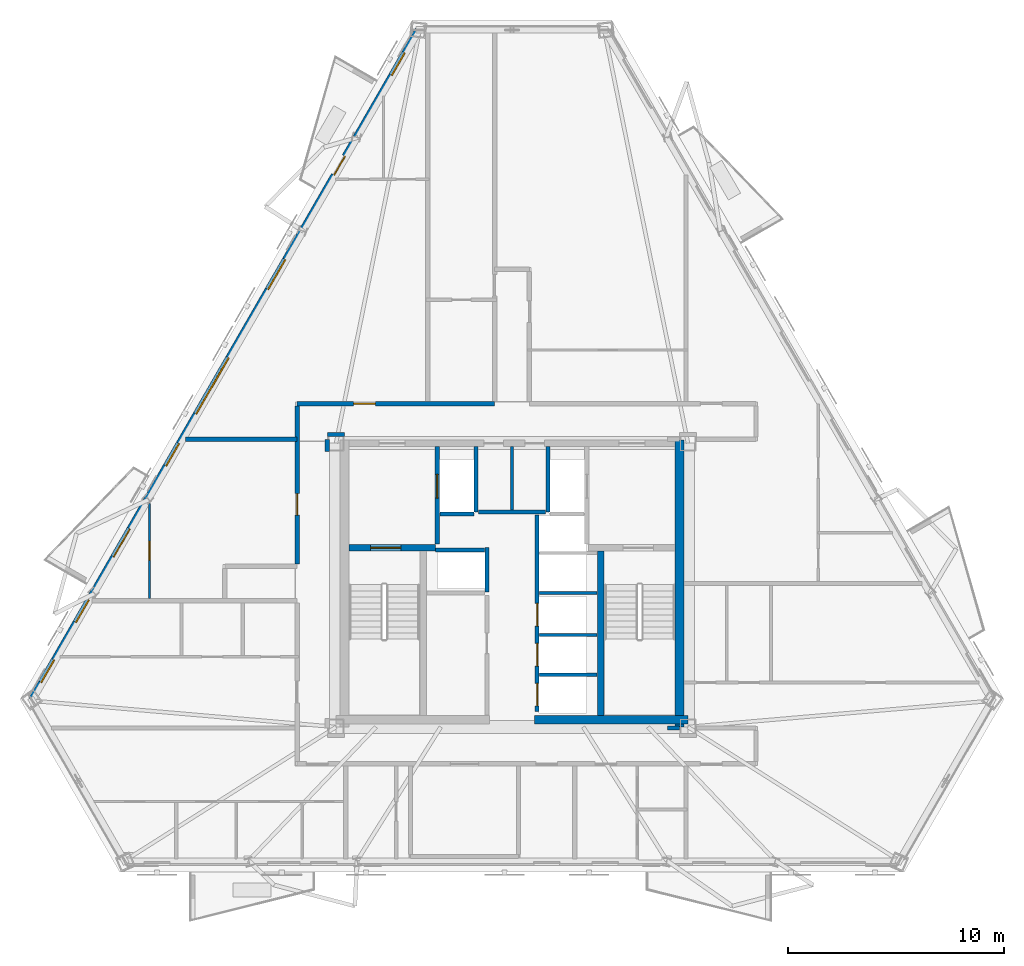
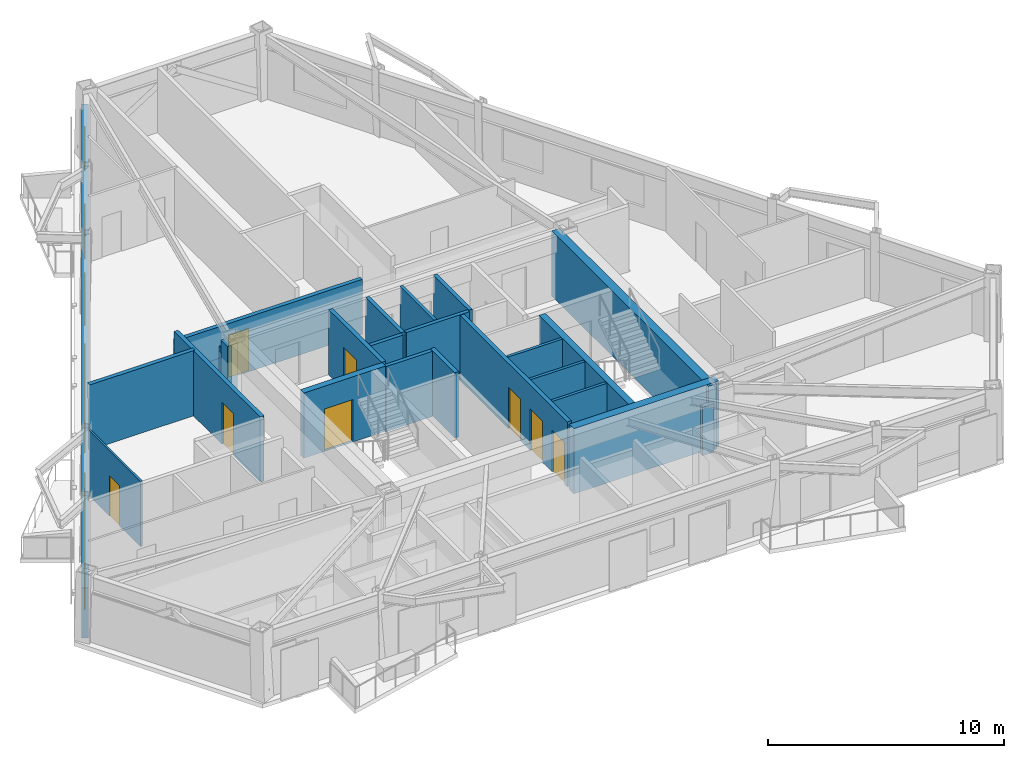
# One storey, part 4 of 9: 24 walls, 10 doors, 6 windows, 16 openings.
"""IFC4 building model written with IfcOpenShell, lengths in metres."""

from ifc_helpers import new_model, si_unit, direction, frame, frame_2d, origin, place, context, subcontext, project, spatial, rectangle, extrude, material, layer, layer_set, type_object, element, fill, save


model = new_model("IFC4")

# Units and contexts
model_context = context("Model", 3, precision=1e-05, world=origin(), true_north=direction((0.0, 1.0)))
body_context = subcontext(model_context, "Body", "Model", "MODEL_VIEW")
ifc_project = project(units=[si_unit("LENGTHUNIT", "METRE"), si_unit("AREAUNIT", "SQUARE_METRE"), si_unit("VOLUMEUNIT", "CUBIC_METRE"), si_unit("PLANEANGLEUNIT", "RADIAN"), si_unit("MASSUNIT", "GRAM", prefix="KILO")], contexts=[model_context])

# Site, building, storey
site_placement = place(None, origin())
site = spatial("IfcSite", under=ifc_project, at=site_placement, CompositionType="ELEMENT")
building_placement = place(site_placement, origin())
building = spatial("IfcBuilding", under=site, at=building_placement, Name="Oramaril Tower", CompositionType="ELEMENT")
storey_placement = place(building_placement, frame((0.0, 0.0, 167.39990234375)))
storey = spatial("IfcBuildingStorey", under=building, at=storey_placement, Name="L44", CompositionType="ELEMENT", Elevation=167.39990234375)

# Wall, openings, doors, windows
ifc_material_1 = material(Name="Warm Cream Limestone", Category="masonry")
ifc_layer_1 = layer(ifc_material_1, 0.2900390625)
ifc_layer_set_1 = layer_set([ifc_layer_1], Name="WT-EXT29")
wall_type_1 = type_object("IfcWallType", Name="WT-EXT29", PredefinedType="SOLIDWALL", material=ifc_layer_set_1)
wall_1_placement = place(storey_placement, frame((33.1455078125, 43.28466796875, 0.0), z_axis=(0.0, 0.0, 1.0), x_axis=(-0.499997523705, -0.86602683347, 0.0)))
wall_1 = element("IfcWall", 1, at=wall_1_placement, inside=storey, type_object=wall_type_1, Name="L44 Tower Limestone Facade Wall 6M", PredefinedType="SOLIDWALL", context=body_context, shape_type="SweptSolid", body=[
    extrude(rectangle(XDim=35.802490234375, YDim=0.2900390625, at=frame_2d((17.9013671875, 0.0))), origin(), (0.0, 0.0, 1.0), 2.60009765625),
])
opening_1_placement = place(wall_1_placement, frame((6.759521484375, 0.0, 0.0)))
opening_1 = element("IfcOpeningElement", 2, at=opening_1_placement, cuts=wall_1, Name="Opening D-L44-BAL-NW1", PredefinedType="OPENING", context=body_context, shape_type="SweptSolid", body=[
    extrude(rectangle(XDim=1.0, YDim=2.179931640625, at=frame_2d((0.5, 1.08984375))), frame((0.0, 0.14501953125, 0.0), z_axis=(0.0, -1.0, 0.0), x_axis=(1.0, 0.0, 0.0)), (0.0, 0.0, 1.0), 0.2900390625),
])
opening_2_placement = place(wall_1_placement, frame((26.688232421875, 0.0, 0.0)))
opening_2 = element("IfcOpeningElement", 3, at=opening_2_placement, cuts=wall_1, Name="Opening D-L44-BAL-NW2", PredefinedType="OPENING", context=body_context, shape_type="SweptSolid", body=[
    extrude(rectangle(XDim=1.5, YDim=2.199951171875, at=frame_2d((0.75, 1.10009765625))), frame((0.0, 0.14501953125, 0.0), z_axis=(0.0, -1.0, 0.0), x_axis=(1.0, 0.0, 0.0)), (0.0, 0.0, 1.0), 0.2900390625),
])
opening_3_placement = place(wall_1_placement, frame((33.697998046875, 0.0, 0.85009765625)))
opening_3 = element("IfcOpeningElement", 4, at=opening_3_placement, cuts=wall_1, Name="Opening WN-09", PredefinedType="OPENING", context=body_context, shape_type="SweptSolid", body=[
    extrude(rectangle(XDim=1.199951171875, YDim=1.47998046875, at=frame_2d((0.60009765625, 0.739990234375))), frame((0.0, 0.14501953125, 0.0), z_axis=(0.0, -1.0, 0.0), x_axis=(1.0, 0.0, 0.0)), (0.0, 0.0, 1.0), 0.2900390625),
])
opening_4_placement = place(wall_1_placement, frame((22.123291015625, 0.0, 0.85009765625)))
opening_4 = element("IfcOpeningElement", 5, at=opening_4_placement, cuts=wall_1, Name="Opening WN-09", PredefinedType="OPENING", context=body_context, shape_type="SweptSolid", body=[
    extrude(rectangle(XDim=1.199951171875, YDim=1.47998046875, at=frame_2d((0.60009765625, 0.739990234375))), frame((0.0, 0.14501953125, 0.0), z_axis=(0.0, -1.0, 0.0), x_axis=(1.0, 0.0, 0.0)), (0.0, 0.0, 1.0), 0.2900390625),
])
opening_5_placement = place(wall_1_placement, frame((12.2841796875, 0.0, 0.85009765625)))
opening_5 = element("IfcOpeningElement", 6, at=opening_5_placement, cuts=wall_1, Name="Opening WN-07", PredefinedType="OPENING", context=body_context, shape_type="SweptSolid", body=[
    extrude(rectangle(XDim=1.60009765625, YDim=1.639892578125, at=frame_2d((0.800048828125, 0.81982421875))), frame((0.0, 0.14501953125, 0.0), z_axis=(0.0, -1.0, 0.0), x_axis=(1.0, 0.0, 0.0)), (0.0, 0.0, 1.0), 0.2900390625),
])
opening_6_placement = place(wall_1_placement, frame((17.5390625, 0.0, 0.85009765625)))
opening_6 = element("IfcOpeningElement", 7, at=opening_6_placement, cuts=wall_1, Name="Opening WN-10", PredefinedType="OPENING", context=body_context, shape_type="SweptSolid", body=[
    extrude(rectangle(XDim=3.0, YDim=1.639892578125, at=frame_2d((1.5, 0.81982421875))), frame((0.0, 0.14501953125, 0.0), z_axis=(0.0, -1.0, 0.0), x_axis=(1.0, 0.0, 0.0)), (0.0, 0.0, 1.0), 0.2900390625),
])
opening_7_placement = place(wall_1_placement, frame((1.22998046875, 0.0, 0.85009765625)))
opening_7 = element("IfcOpeningElement", 8, at=opening_7_placement, cuts=wall_1, Name="Opening WN-09", PredefinedType="OPENING", context=body_context, shape_type="SweptSolid", body=[
    extrude(rectangle(XDim=1.199951171875, YDim=1.47998046875, at=frame_2d((0.60009765625, 0.739990234375))), frame((0.0, 0.14501953125, 0.0), z_axis=(0.0, -1.0, 0.0), x_axis=(1.0, 0.0, 0.0)), (0.0, 0.0, 1.0), 0.2900390625),
])
opening_8_placement = place(wall_1_placement, frame((30.487060546875, 0.0, 0.85009765625)))
opening_8 = element("IfcOpeningElement", 9, at=opening_8_placement, cuts=wall_1, Name="Opening WN-09", PredefinedType="OPENING", context=body_context, shape_type="SweptSolid", body=[
    extrude(rectangle(XDim=1.199951171875, YDim=1.47998046875, at=frame_2d((0.60009765625, 0.739990234375))), frame((0.0, 0.14501953125, 0.0), z_axis=(0.0, -1.0, 0.0), x_axis=(1.0, 0.0, 0.0)), (0.0, 0.0, 1.0), 0.2900390625),
])
ifc_material_2 = material(Name="Anodised Aluminium 6063-T6", Category="aluminium")
door_type_1 = type_object("IfcDoorType", Name="DT-BAL", OperationType="NOTDEFINED", PredefinedType="DOOR", material=ifc_material_2)
door_1_placement = place(opening_2_placement, origin())
door_1 = element("IfcDoor", 10, at=door_1_placement, inside=storey, type_object=door_type_1, Name="L44 Balcony Glazed Door L44-BAL-NW2", OperationType="SINGLE_SWING_RIGHT", OverallHeight=2.199951171875, OverallWidth=1.5, PredefinedType="DOOR", context=body_context, shape_type="SweptSolid", body=[
    extrude(rectangle(XDim=1.5, YDim=2.199951171875, at=frame_2d((0.75, 1.10009765625))), frame((0.0, 0.02490234375, 0.0), z_axis=(0.0, -1.0, 0.0), x_axis=(1.0, 0.0, 0.0)), (0.0, 0.0, 1.0), 0.050048828125),
])
fill(opening_2, door_1)
ifc_material_3 = material(Name="Anodised Aluminium 6063-T6", Category="aluminium")
door_type_2 = type_object("IfcDoorType", Name="DT-BALN", OperationType="NOTDEFINED", PredefinedType="DOOR", material=ifc_material_3)
door_2_placement = place(opening_1_placement, origin())
door_2 = element("IfcDoor", 11, at=door_2_placement, inside=storey, type_object=door_type_2, Name="L44 Balcony Glazed Door L44-BAL-NW1", OperationType="SINGLE_SWING_LEFT", OverallHeight=2.179931640625, OverallWidth=1.0, PredefinedType="DOOR", context=body_context, shape_type="SweptSolid", body=[
    extrude(rectangle(XDim=1.0, YDim=2.179931640625, at=frame_2d((0.5, 1.08984375))), frame((0.0, 0.02490234375, 0.0), z_axis=(0.0, -1.0, 0.0), x_axis=(1.0, 0.0, 0.0)), (0.0, 0.0, 1.0), 0.050048828125),
])
fill(opening_1, door_2)
ifc_material_4 = material(Name="Coastal Low-E Insulated Glass", Category="glass")
window_type_1 = type_object("IfcWindowType", Name="WNT-07", PartitioningType="SINGLE_PANEL", PredefinedType="WINDOW", material=ifc_material_4)
window_1_placement = place(opening_5_placement, origin())
window_1 = element("IfcWindow", 12, at=window_1_placement, inside=storey, type_object=window_type_1, Name="L44 Chicago Bay Window WN-07", OverallHeight=1.639892578125, OverallWidth=1.60009765625, PartitioningType="SINGLE_PANEL", PredefinedType="WINDOW", context=body_context, shape_type="SweptSolid", body=[
    extrude(rectangle(XDim=1.60009765625, YDim=1.639892578125, at=frame_2d((0.800048828125, 0.81982421875))), frame((0.0, 0.030029296875, 0.0), z_axis=(0.0, -1.0, 0.0), x_axis=(1.0, 0.0, 0.0)), (0.0, 0.0, 1.0), 0.06005859375),
])
fill(opening_5, window_1)
ifc_material_5 = material(Name="Coastal Low-E Insulated Glass", Category="glass")
window_type_2 = type_object("IfcWindowType", Name="WNT-09", PartitioningType="SINGLE_PANEL", PredefinedType="WINDOW", material=ifc_material_5)
window_2_placement = place(opening_3_placement, origin())
window_2 = element("IfcWindow", 13, at=window_2_placement, inside=storey, type_object=window_type_2, Name="L44 Chicago Bay Window WN-09", OverallHeight=1.47998046875, OverallWidth=1.199951171875, PartitioningType="SINGLE_PANEL", PredefinedType="WINDOW", context=body_context, shape_type="SweptSolid", body=[
    extrude(rectangle(XDim=1.199951171875, YDim=1.47998046875, at=frame_2d((0.60009765625, 0.739990234375))), frame((0.0, 0.030029296875, 0.0), z_axis=(0.0, -1.0, 0.0), x_axis=(1.0, 0.0, 0.0)), (0.0, 0.0, 1.0), 0.06005859375),
])
fill(opening_3, window_2)
window_3_placement = place(opening_4_placement, origin())
window_3 = element("IfcWindow", 14, at=window_3_placement, inside=storey, type_object=window_type_2, Name="L44 Chicago Bay Window WN-09", OverallHeight=1.47998046875, OverallWidth=1.199951171875, PartitioningType="SINGLE_PANEL", PredefinedType="WINDOW", context=body_context, shape_type="SweptSolid", body=[
    extrude(rectangle(XDim=1.199951171875, YDim=1.47998046875, at=frame_2d((0.60009765625, 0.739990234375))), frame((0.0, 0.030029296875, 0.0), z_axis=(0.0, -1.0, 0.0), x_axis=(1.0, 0.0, 0.0)), (0.0, 0.0, 1.0), 0.06005859375),
])
fill(opening_4, window_3)
window_4_placement = place(opening_7_placement, origin())
window_4 = element("IfcWindow", 15, at=window_4_placement, inside=storey, type_object=window_type_2, Name="L44 Chicago Bay Window WN-09", OverallHeight=1.47998046875, OverallWidth=1.199951171875, PartitioningType="SINGLE_PANEL", PredefinedType="WINDOW", context=body_context, shape_type="SweptSolid", body=[
    extrude(rectangle(XDim=1.199951171875, YDim=1.47998046875, at=frame_2d((0.60009765625, 0.739990234375))), frame((0.0, 0.030029296875, 0.0), z_axis=(0.0, -1.0, 0.0), x_axis=(1.0, 0.0, 0.0)), (0.0, 0.0, 1.0), 0.06005859375),
])
fill(opening_7, window_4)
window_5_placement = place(opening_8_placement, origin())
window_5 = element("IfcWindow", 16, at=window_5_placement, inside=storey, type_object=window_type_2, Name="L44 Apartment Bedroom Window WN-09", OverallHeight=1.47998046875, OverallWidth=1.199951171875, PartitioningType="SINGLE_PANEL", PredefinedType="WINDOW", context=body_context, shape_type="SweptSolid", body=[
    extrude(rectangle(XDim=1.199951171875, YDim=1.47998046875, at=frame_2d((0.60009765625, 0.739990234375))), frame((0.0, 0.030029296875, 0.0), z_axis=(0.0, -1.0, 0.0), x_axis=(1.0, 0.0, 0.0)), (0.0, 0.0, 1.0), 0.06005859375),
])
fill(opening_8, window_5)
ifc_material_6 = material(Name="Coastal Low-E Insulated Glass", Category="glass")
window_type_3 = type_object("IfcWindowType", Name="WNT-10", PartitioningType="SINGLE_PANEL", PredefinedType="WINDOW", material=ifc_material_6)
window_6_placement = place(opening_6_placement, origin())
window_6 = element("IfcWindow", 17, at=window_6_placement, inside=storey, type_object=window_type_3, Name="L44 Chicago Bay Window WN-10", OverallHeight=1.639892578125, OverallWidth=3.0, PartitioningType="SINGLE_PANEL", PredefinedType="WINDOW", context=body_context, shape_type="SweptSolid", body=[
    extrude(rectangle(XDim=3.0, YDim=1.639892578125, at=frame_2d((1.5, 0.81982421875))), frame((0.0, 0.030029296875, 0.0), z_axis=(0.0, -1.0, 0.0), x_axis=(1.0, 0.0, 0.0)), (0.0, 0.0, 1.0), 0.06005859375),
])
fill(opening_6, window_6)

# Wall, opening, door
ifc_material_7 = material(Name="Acoustic Gypsum Board Partition")
ifc_layer_2 = layer(ifc_material_7, 0.10009765625)
ifc_layer_set_2 = layer_set([ifc_layer_2], Name="WT-PT10")
wall_type_2 = type_object("IfcWallType", Name="WT-PT10", PredefinedType="PARTITIONING", material=ifc_layer_set_2)
wall_2_placement = place(storey_placement, frame((20.7099609375, 16.9541015625, 0.0), z_axis=(0.0, 0.0, 1.0), x_axis=(0.0, 1.0, 0.0)))
wall_2 = element("IfcWall", 18, at=wall_2_placement, inside=storey, type_object=wall_type_2, Name="L44 Interior Partition PT-10", PredefinedType="PARTITIONING", context=body_context, shape_type="SweptSolid", body=[
    extrude(rectangle(XDim=4.387939453125, YDim=0.10009765625, at=frame_2d((2.19384765625, 0.0))), origin(), (0.0, 0.0, 1.0), 3.380126953125),
])
opening_9_placement = place(wall_2_placement, frame((1.7607421875, 0.0, 0.0)))
opening_9 = element("IfcOpeningElement", 19, at=opening_9_placement, cuts=wall_2, Name="Opening D-L44-22", PredefinedType="OPENING", context=body_context, shape_type="SweptSolid", body=[
    extrude(rectangle(XDim=0.8798828125, YDim=2.080078125, at=frame_2d((0.43994140625, 1.0400390625))), frame((0.0, 0.050048828125, 0.0), z_axis=(0.0, -1.0, 0.0), x_axis=(1.0, 0.0, 0.0)), (0.0, 0.0, 1.0), 0.10009765625),
])
ifc_material_8 = material(Name="FSC Brazilian Freijo Hardwood", Category="wood")
door_type_3 = type_object("IfcDoorType", Name="DT-BATH", OperationType="NOTDEFINED", PredefinedType="DOOR", material=ifc_material_8)
door_3_placement = place(opening_9_placement, origin())
door_3 = element("IfcDoor", 20, at=door_3_placement, inside=storey, type_object=door_type_3, Name="L44 Flat L44-U5 Bathroom Door D-L44-22", OperationType="SINGLE_SWING_RIGHT", OverallHeight=2.080078125, OverallWidth=0.8798828125, PredefinedType="DOOR", context=body_context, shape_type="SweptSolid", body=[
    extrude(rectangle(XDim=0.8798828125, YDim=2.080078125, at=frame_2d((0.43994140625, 1.0400390625))), frame((0.0, 0.02490234375, 0.0), z_axis=(0.0, -1.0, 0.0), x_axis=(1.0, 0.0, 0.0)), (0.0, 0.0, 1.0), 0.050048828125),
])
fill(opening_9, door_3)

# Walls
ifc_material_9 = material(Name="Acoustic Gypsum Board Partition")
ifc_layer_3 = layer(ifc_material_9, 0.139892578125)
ifc_layer_set_3 = layer_set([ifc_layer_3], Name="WT-PT14")
wall_type_3 = type_object("IfcWallType", Name="WT-PT14", PredefinedType="PARTITIONING", material=ifc_layer_set_3)
for number, where, z_axis, x_axis, name in (
    (21, (38.780029296875, 13.419921875, 0.0), (0.0, 0.0, 1.0), (1.0, 0.0, 0.0), "L44 East Lift Divider"),
    (22, (38.780029296875, 15.27001953125, 0.0), (0.0, 0.0, 1.0), (1.0, 0.0, 0.0), "L44 East Lift Divider"),
    (23, (38.780029296875, 17.199951171875, 0.0), (0.0, 0.0, 1.0), (1.0, 0.0, 0.0), "L44 East Lift Divider"),
):
    element("IfcWall", number, at=place(storey_placement, frame(where, z_axis=z_axis, x_axis=x_axis)), inside=storey, type_object=wall_type_3, Name=name, PredefinedType="PARTITIONING", context=body_context, shape_type="SweptSolid", body=[
        extrude(rectangle(XDim=2.659912109375, YDim=0.139892578125, at=frame_2d((1.330078125, 0.0))), origin(), (0.0, 0.0, 1.0), 3.380126953125),
    ])
wall_3_placement = place(storey_placement, frame((37.5, 21.06005859375, 0.0), z_axis=(0.0, 0.0, 1.0), x_axis=(0.0, 1.0, 0.0)))
element("IfcWall", 24, at=wall_3_placement, inside=storey, type_object=wall_type_3, Name="L44 Core Service Divider", PredefinedType="PARTITIONING", context=body_context, shape_type="SweptSolid", body=[
    extrude(rectangle(XDim=2.919921875, YDim=0.139892578125, at=frame_2d((1.4599609375, 0.0))), origin(), (0.0, 0.0, 1.0), 3.380126953125),
])
ifc_material_10 = material(Name="Autoclaved Cellular Concrete Block", Category="concrete")
ifc_layer_4 = layer(ifc_material_10, 0.179931640625)
ifc_layer_set_4 = layer_set([ifc_layer_4], Name="WT-PT18")
wall_type_4 = type_object("IfcWallType", Name="WT-PT18", PredefinedType="PARTITIONING", material=ifc_layer_set_4)
wall_4_placement = place(storey_placement, frame((35.840087890625, 20.9599609375, 0.0), z_axis=(0.0, 0.0, 1.0), x_axis=(0.0, 1.0, 0.0)))
element("IfcWall", 25, at=wall_4_placement, inside=storey, type_object=wall_type_4, Name="L44 FL-1 East Shaft Wall", PredefinedType="PARTITIONING", context=body_context, shape_type="SweptSolid", body=[
    extrude(rectangle(XDim=3.02001953125, YDim=0.179931640625, at=frame_2d((1.510009765625, 0.0))), origin(), (0.0, 0.0, 1.0), 3.380126953125),
])
wall_5_placement = place(storey_placement, frame((34.159912109375, 20.860107421875, 0.0), z_axis=(0.0, 0.0, 1.0), x_axis=(1.0, 0.0, 0.0)))
element("IfcWall", 26, at=wall_5_placement, inside=storey, type_object=wall_type_4, Name="L44 FL-1 South Shaft Wall", PredefinedType="PARTITIONING", context=body_context, shape_type="SweptSolid", body=[
    extrude(rectangle(XDim=1.580078125, YDim=0.179931640625, at=frame_2d((0.7900390625, 0.0))), origin(), (0.0, 0.0, 1.0), 3.380126953125),
])
wall_6_placement = place(storey_placement, frame((39.159912109375, 20.9599609375, 0.0), z_axis=(0.0, 0.0, 1.0), x_axis=(0.0, 1.0, 0.0)))
element("IfcWall", 27, at=wall_6_placement, inside=storey, type_object=wall_type_4, Name="L44 FL-2 West Shaft Wall", PredefinedType="PARTITIONING", context=body_context, shape_type="SweptSolid", body=[
    extrude(rectangle(XDim=3.02001953125, YDim=0.179931640625, at=frame_2d((1.510009765625, 0.0))), origin(), (0.0, 0.0, 1.0), 3.380126953125),
])
wall_7_placement = place(storey_placement, frame((33.949951171875, 19.199951171875, 0.0), z_axis=(0.0, 0.0, 1.0), x_axis=(1.0, 0.0, 0.0)))
element("IfcWall", 28, at=wall_7_placement, inside=storey, type_object=wall_type_4, Name="L44 High-Rise Lift H1 North Shaft Wall", PredefinedType="PARTITIONING", context=body_context, shape_type="SweptSolid", body=[
    extrude(rectangle(XDim=2.27001953125, YDim=0.179931640625, at=frame_2d((1.135009765625, 0.0))), origin(), (0.0, 0.0, 1.0), 3.380126953125),
])
wall_8_placement = place(storey_placement, frame((35.949951171875, 20.949951171875, 0.0), z_axis=(0.0, 0.0, 1.0), x_axis=(1.0, 0.0, 0.0)))
element("IfcWall", 29, at=wall_8_placement, inside=storey, type_object=wall_type_4, Name="L44 Lift Lobby North Partition", PredefinedType="PARTITIONING", context=body_context, shape_type="SweptSolid", body=[
    extrude(rectangle(XDim=3.10009765625, YDim=0.179931640625, at=frame_2d((1.550048828125, 0.0))), origin(), (0.0, 0.0, 1.0), 3.380126953125),
])
ifc_material_11 = material(Name="Autoclaved Cellular Concrete Block", Category="concrete")
ifc_layer_5 = layer(ifc_material_11, 0.199951171875)
ifc_layer_set_5 = layer_set([ifc_layer_5], Name="WT-PT20")
wall_type_5 = type_object("IfcWallType", Name="WT-PT20", PredefinedType="PARTITIONING", material=ifc_layer_set_5)
wall_9_placement = place(storey_placement, frame((44.695068359375, 10.949951171875, 0.0), z_axis=(0.0, 0.0, 1.0), x_axis=(1.0, 0.0, 0.0)))
element("IfcWall", 30, at=wall_9_placement, inside=storey, type_object=wall_type_5, Name="L44 Interior Partition PT-20", PredefinedType="PARTITIONING", context=body_context, shape_type="SweptSolid", body=[
    extrude(rectangle(XDim=0.56494140625, YDim=0.199951171875, at=frame_2d((0.282470703125, 0.0))), origin(), (0.0, 0.0, 1.0), 2.52001953125),
])
wall_10_placement = place(storey_placement, frame((22.368408203125, 24.320068359375, 0.0), z_axis=(0.0, 0.0, 1.0), x_axis=(1.0, 0.0, 0.0)))
element("IfcWall", 31, at=wall_10_placement, inside=storey, type_object=wall_type_5, Name="L44 Interior Partition PT-20", PredefinedType="PARTITIONING", context=body_context, shape_type="SweptSolid", body=[
    extrude(rectangle(XDim=5.181640625, YDim=0.199951171875, at=frame_2d((2.5908203125, 0.0))), origin(), (0.0, 0.0, 1.0), 3.380126953125),
])
wall_11_placement = place(storey_placement, frame((28.955078125, 24.550048828125, 0.0), z_axis=(0.0, 0.0, 1.0), x_axis=(1.0, 0.0, 0.0)))
element("IfcWall", 32, at=wall_11_placement, inside=storey, type_object=wall_type_5, Name="L44 Interior Partition PT-20", PredefinedType="PARTITIONING", context=body_context, shape_type="SweptSolid", body=[
    extrude(rectangle(XDim=0.7900390625, YDim=0.199951171875, at=frame_2d((0.39501953125, 0.0))), origin(), (0.0, 0.0, 1.0), 2.842041015625),
])

# Wall, opening, door
wall_12_placement = place(storey_placement, frame((27.550048828125, 25.969970703125, 0.0), z_axis=(0.0, 0.0, 1.0), x_axis=(1.0, 0.0, 0.0)))
wall_12 = element("IfcWall", 33, at=wall_12_placement, inside=storey, type_object=wall_type_5, Name="L44 Interior Partition PT-20", PredefinedType="PARTITIONING", context=body_context, shape_type="SweptSolid", body=[
    extrude(rectangle(XDim=9.14990234375, YDim=0.199951171875, at=frame_2d((4.574951171875, 0.0))), origin(), (0.0, 0.0, 1.0), 2.842041015625),
])
opening_10_placement = place(wall_12_placement, frame((2.618896484375, 0.0, 0.0)))
opening_10 = element("IfcOpeningElement", 34, at=opening_10_placement, cuts=wall_12, Name="Opening D-L44-16", PredefinedType="OPENING", context=body_context, shape_type="SweptSolid", body=[
    extrude(rectangle(XDim=1.0, YDim=2.179931640625, at=frame_2d((0.5, 1.08984375))), frame((0.0, 0.10009765625, 0.0), z_axis=(0.0, -1.0, 0.0), x_axis=(1.0, 0.0, 0.0)), (0.0, 0.0, 1.0), 0.199951171875),
])
ifc_material_12 = material(Name="FSC Brazilian Freijo Hardwood", Category="wood")
door_type_4 = type_object("IfcDoorType", Name="DT-APT", OperationType="NOTDEFINED", PredefinedType="DOOR", material=ifc_material_12)
door_4_placement = place(opening_10_placement, origin())
door_4 = element("IfcDoor", 35, at=door_4_placement, inside=storey, type_object=door_type_4, Name="L44 Flat L44-U8 Studio Apartment Door D-L44-16", OperationType="SINGLE_SWING_RIGHT", OverallHeight=2.179931640625, OverallWidth=1.0, PredefinedType="DOOR", context=body_context, shape_type="SweptSolid", body=[
    extrude(rectangle(XDim=1.0, YDim=2.179931640625, at=frame_2d((0.5, 1.08984375))), frame((0.0, 0.02490234375, 0.0), z_axis=(0.0, -1.0, 0.0), x_axis=(1.0, 0.0, 0.0)), (0.0, 0.0, 1.0), 0.050048828125),
])
fill(opening_10, door_4)

wall_13_placement = place(storey_placement, frame((27.550048828125, 18.553955078125, 0.0), z_axis=(0.0, 0.0, 1.0), x_axis=(0.0, 1.0, 0.0)))
wall_13 = element("IfcWall", 36, at=wall_13_placement, inside=storey, type_object=wall_type_5, Name="L44 Interior Partition PT-20", PredefinedType="PARTITIONING", context=body_context, shape_type="SweptSolid", body=[
    extrude(rectangle(XDim=7.31201171875, YDim=0.199951171875, at=frame_2d((3.656005859375, 0.0))), origin(), (0.0, 0.0, 1.0), 3.380126953125),
])
opening_11_placement = place(wall_13_placement, frame((2.257080078125, 0.0, 0.0)))
opening_11 = element("IfcOpeningElement", 37, at=opening_11_placement, cuts=wall_13, Name="Opening D-L44-24", PredefinedType="OPENING", context=body_context, shape_type="SweptSolid", body=[
    extrude(rectangle(XDim=1.0, YDim=2.179931640625, at=frame_2d((0.5, 1.08984375))), frame((0.0, 0.10009765625, 0.0), z_axis=(0.0, -1.0, 0.0), x_axis=(1.0, 0.0, 0.0)), (0.0, 0.0, 1.0), 0.199951171875),
])
door_5_placement = place(opening_11_placement, origin())
door_5 = element("IfcDoor", 38, at=door_5_placement, inside=storey, type_object=door_type_4, Name="L44 Flat L44-U5 Kitchen and Studio Apartment Door D-L44-24", OperationType="SINGLE_SWING_RIGHT", OverallHeight=2.179931640625, OverallWidth=1.0, PredefinedType="DOOR", context=body_context, shape_type="SweptSolid", body=[
    extrude(rectangle(XDim=1.0, YDim=2.179931640625, at=frame_2d((0.5, 1.08984375))), frame((0.0, 0.02490234375, 0.0), z_axis=(0.0, -1.0, 0.0), x_axis=(1.0, 0.0, 0.0)), (0.0, 0.0, 1.0), 0.050048828125),
])
fill(opening_11, door_5)

# Wall
wall_14_placement = place(storey_placement, frame((28.949951171875, 23.7548828125, 0.0), z_axis=(0.0, 0.0, 1.0), x_axis=(0.0, 1.0, 0.0)))
element("IfcWall", 39, at=wall_14_placement, inside=storey, type_object=wall_type_5, Name="L44 Interior Partition PT-20", PredefinedType="PARTITIONING", context=body_context, shape_type="SweptSolid", body=[
    extrude(rectangle(XDim=0.565185546875, YDim=0.199951171875, at=frame_2d((0.28271484375, 0.0))), origin(), (0.0, 0.0, 1.0), 3.380126953125),
])

# Wall, opening, door
ifc_material_13 = material(Name="Concrete C50/60", Category="concrete")
ifc_layer_6 = layer(ifc_material_13, 0.300048828125)
ifc_layer_set_6 = layer_set([ifc_layer_6], Name="WT-SH30")
wall_type_6 = type_object("IfcWallType", Name="WT-SH30", PredefinedType="SHEAR", material=ifc_layer_set_6)
wall_15_placement = place(storey_placement, frame((29.93994140625, 19.31005859375, 0.0), z_axis=(0.0, 0.0, 1.0), x_axis=(1.0, 0.0, 0.0)))
wall_15 = element("IfcWall", 40, at=wall_15_placement, inside=storey, type_object=wall_type_6, Name="L44 Core Shear Wall CW-ST1N", PredefinedType="SHEAR", context=body_context, shape_type="SweptSolid", body=[
    extrude(rectangle(XDim=4.010009765625, YDim=0.300048828125, at=frame_2d((2.0048828125, 0.0))), origin(), (0.0, 0.0, 1.0), 3.380126953125),
])
opening_12_placement = place(wall_15_placement, frame((1.010009765625, 0.0, 0.0)))
opening_12 = element("IfcOpeningElement", 41, at=opening_12_placement, cuts=wall_15, Name="Opening D-L44-ST1", PredefinedType="OPENING", context=body_context, shape_type="SweptSolid", body=[
    extrude(rectangle(XDim=1.39990234375, YDim=2.199951171875, at=frame_2d((0.699951171875, 1.10009765625))), frame((0.0, 0.14990234375, 0.0), z_axis=(0.0, -1.0, 0.0), x_axis=(1.0, 0.0, 0.0)), (0.0, 0.0, 1.0), 0.300048828125),
])
ifc_material_14 = material(Name="Painted Galvanised Steel", Category="steel")
door_type_5 = type_object("IfcDoorType", Name="DT-ST", OperationType="NOTDEFINED", PredefinedType="DOOR", material=ifc_material_14)
door_6_placement = place(opening_12_placement, origin())
door_6 = element("IfcDoor", 42, at=door_6_placement, inside=storey, type_object=door_type_5, Name="L44 Protected Stair ST-1 Fire Door", OperationType="SINGLE_SWING_LEFT", OverallHeight=2.199951171875, OverallWidth=1.39990234375, PredefinedType="DOOR", context=body_context, shape_type="SweptSolid", body=[
    extrude(rectangle(XDim=1.39990234375, YDim=2.199951171875, at=frame_2d((0.699951171875, 1.10009765625))), frame((0.0, 0.02490234375, 0.0), z_axis=(0.0, -1.0, 0.0), x_axis=(1.0, 0.0, 0.0)), (0.0, 0.0, 1.0), 0.050048828125),
])
fill(opening_12, door_6)

# Walls
wall_16_placement = place(storey_placement, frame((41.6201171875, 11.5400390625, 0.0), z_axis=(0.0, 0.0, 1.0), x_axis=(0.0, 1.0, 0.0)))
element("IfcWall", 43, at=wall_16_placement, inside=storey, type_object=wall_type_6, Name="L44 Core Shear Wall CW-ST2W", PredefinedType="SHEAR", context=body_context, shape_type="SweptSolid", body=[
    extrude(rectangle(XDim=7.619873046875, YDim=0.300048828125, at=frame_2d((3.81005859375, 0.0))), origin(), (0.0, 0.0, 1.0), 3.380126953125),
])
ifc_material_15 = material(Name="Concrete C50/60", Category="concrete")
ifc_layer_7 = layer(ifc_material_15, 0.39990234375)
ifc_layer_set_7 = layer_set([ifc_layer_7], Name="WT-SH40")
wall_type_7 = type_object("IfcWallType", Name="WT-SH40", PredefinedType="SHEAR", material=ifc_layer_set_7)
wall_17_placement = place(storey_placement, frame((45.260009765625, 11.0, 0.0), z_axis=(0.0, 0.0, 1.0), x_axis=(0.0, 1.0, 0.0)))
element("IfcWall", 44, at=wall_17_placement, inside=storey, type_object=wall_type_7, Name="L44 Core Shear Wall CW-E", PredefinedType="SHEAR", context=body_context, shape_type="SweptSolid", body=[
    extrude(rectangle(XDim=13.300048828125, YDim=0.39990234375, at=frame_2d((6.64990234375, 0.0))), origin(), (0.0, 0.0, 1.0), 3.380126953125),
])
wall_18_placement = place(storey_placement, frame((38.550048828125, 11.340087890625, 0.0), z_axis=(0.0, 0.0, 1.0), x_axis=(1.0, 0.0, 0.0)))
element("IfcWall", 45, at=wall_18_placement, inside=storey, type_object=wall_type_7, Name="L44 Core Shear Wall CW-SE", PredefinedType="SHEAR", context=body_context, shape_type="SweptSolid", body=[
    extrude(rectangle(XDim=7.099853515625, YDim=0.39990234375, at=frame_2d((3.5498046875, 0.0))), origin(), (0.0, 0.0, 1.0), 3.380126953125),
])

# Wall, opening, door
ifc_material_16 = material(Name="Autoclaved Cellular Concrete Block", Category="concrete")
ifc_layer_8 = layer(ifc_material_16, 0.199951171875)
ifc_layer_set_8 = layer_set([ifc_layer_8], Name="WT-SHF20")
wall_type_8 = type_object("IfcWallType", Name="WT-SHF20", PredefinedType="PARTITIONING", material=ifc_layer_set_8)
wall_19_placement = place(storey_placement, frame((34.0400390625, 19.47998046875, 0.0), z_axis=(0.0, 0.0, 1.0), x_axis=(0.0, 1.0, 0.0)))
wall_19 = element("IfcWall", 46, at=wall_19_placement, inside=storey, type_object=wall_type_8, Name="L44 FL-1 Lobby Shaft Wall", PredefinedType="PARTITIONING", context=body_context, shape_type="SweptSolid", body=[
    extrude(rectangle(XDim=4.5, YDim=0.199951171875, at=frame_2d((2.25, 0.0))), origin(), (0.0, 0.0, 1.0), 3.380126953125),
])
opening_13_placement = place(wall_19_placement, frame((2.1201171875, 0.0, 0.0)))
opening_13 = element("IfcOpeningElement", 47, at=opening_13_placement, cuts=wall_19, Name="Opening LD-L44-FL-1", PredefinedType="OPENING", context=body_context, shape_type="SweptSolid", body=[
    extrude(rectangle(XDim=1.10009765625, YDim=2.199951171875, at=frame_2d((0.550048828125, 1.10009765625))), frame((0.0, 0.10009765625, 0.0), z_axis=(0.0, -1.0, 0.0), x_axis=(1.0, 0.0, 0.0)), (0.0, 0.0, 1.0), 0.199951171875),
])
ifc_material_17 = material(Name="Stainless Steel 316L", Category="steel")
door_type_6 = type_object("IfcDoorType", Name="DT-LD1", OperationType="NOTDEFINED", PredefinedType="DOOR", material=ifc_material_17)
door_7_placement = place(opening_13_placement, origin())
door_7 = element("IfcDoor", 48, at=door_7_placement, inside=storey, type_object=door_type_6, Name="L44 Lift FL-1 Sliding Landing Door", OperationType="SLIDING_TO_LEFT", OverallHeight=2.199951171875, OverallWidth=1.10009765625, PredefinedType="DOOR", context=body_context, shape_type="SweptSolid", body=[
    extrude(rectangle(XDim=1.10009765625, YDim=2.199951171875, at=frame_2d((0.550048828125, 1.10009765625))), frame((0.0, 0.02490234375, 0.0), z_axis=(0.0, -1.0, 0.0), x_axis=(1.0, 0.0, 0.0)), (0.0, 0.0, 1.0), 0.050048828125),
])
fill(opening_13, door_7)

# Wall
wall_20_placement = place(storey_placement, frame((36.340087890625, 17.25, 0.0), z_axis=(0.0, 0.0, 1.0), x_axis=(0.0, 1.0, 0.0)))
element("IfcWall", 49, at=wall_20_placement, inside=storey, type_object=wall_type_8, Name="L44 High-Rise Lift H1 Front Wall", PredefinedType="PARTITIONING", context=body_context, shape_type="SweptSolid", body=[
    extrude(rectangle(XDim=2.070068359375, YDim=0.199951171875, at=frame_2d((1.03515625, 0.0))), origin(), (0.0, 0.0, 1.0), 3.380126953125),
])

# Wall, openings, doors
wall_21_placement = place(storey_placement, frame((38.659912109375, 11.719970703125, 0.0), z_axis=(0.0, 0.0, 1.0), x_axis=(0.0, 1.0, 0.0)))
wall_21 = element("IfcWall", 50, at=wall_21_placement, inside=storey, type_object=wall_type_8, Name="L44 East Lift Bank Front Wall", PredefinedType="PARTITIONING", context=body_context, shape_type="SweptSolid", body=[
    extrude(rectangle(XDim=9.10009765625, YDim=0.199951171875, at=frame_2d((4.550048828125, 0.0))), origin(), (0.0, 0.0, 1.0), 3.380126953125),
])
opening_14_placement = place(wall_21_placement, frame((0.2548828125, 0.0, 0.0)))
opening_14 = element("IfcOpeningElement", 51, at=opening_14_placement, cuts=wall_21, Name="Opening LD-L44-LP-M1", PredefinedType="OPENING", context=body_context, shape_type="SweptSolid", body=[
    extrude(rectangle(XDim=1.050048828125, YDim=2.14990234375, at=frame_2d((0.52490234375, 1.074951171875))), frame((0.0, 0.10009765625, 0.0), z_axis=(0.0, -1.0, 0.0), x_axis=(1.0, 0.0, 0.0)), (0.0, 0.0, 1.0), 0.199951171875),
])
opening_15_placement = place(wall_21_placement, frame((2.10498046875, 0.0, 0.0)))
opening_15 = element("IfcOpeningElement", 52, at=opening_15_placement, cuts=wall_21, Name="Opening LD-L44-LP-M2", PredefinedType="OPENING", context=body_context, shape_type="SweptSolid", body=[
    extrude(rectangle(XDim=1.050048828125, YDim=2.14990234375, at=frame_2d((0.52490234375, 1.074951171875))), frame((0.0, 0.10009765625, 0.0), z_axis=(0.0, -1.0, 0.0), x_axis=(1.0, 0.0, 0.0)), (0.0, 0.0, 1.0), 0.199951171875),
])
opening_16_placement = place(wall_21_placement, frame((3.955078125, 0.0, 0.0)))
opening_16 = element("IfcOpeningElement", 53, at=opening_16_placement, cuts=wall_21, Name="Opening LD-L44-LP-M3", PredefinedType="OPENING", context=body_context, shape_type="SweptSolid", body=[
    extrude(rectangle(XDim=1.050048828125, YDim=2.14990234375, at=frame_2d((0.52490234375, 1.074951171875))), frame((0.0, 0.10009765625, 0.0), z_axis=(0.0, -1.0, 0.0), x_axis=(1.0, 0.0, 0.0)), (0.0, 0.0, 1.0), 0.199951171875),
])
ifc_material_18 = material(Name="Stainless Steel 316L", Category="steel")
door_type_7 = type_object("IfcDoorType", Name="DT-LD2", OperationType="NOTDEFINED", PredefinedType="DOOR", material=ifc_material_18)
door_8_placement = place(opening_14_placement, origin())
door_8 = element("IfcDoor", 54, at=door_8_placement, inside=storey, type_object=door_type_7, Name="L44 Lift LP-M1 Sliding Landing Door", OperationType="SLIDING_TO_RIGHT", OverallHeight=2.14990234375, OverallWidth=1.050048828125, PredefinedType="DOOR", context=body_context, shape_type="SweptSolid", body=[
    extrude(rectangle(XDim=1.050048828125, YDim=2.14990234375, at=frame_2d((0.52490234375, 1.074951171875))), frame((0.0, 0.02490234375, 0.0), z_axis=(0.0, -1.0, 0.0), x_axis=(1.0, 0.0, 0.0)), (0.0, 0.0, 1.0), 0.050048828125),
])
fill(opening_14, door_8)
door_9_placement = place(opening_15_placement, origin())
door_9 = element("IfcDoor", 55, at=door_9_placement, inside=storey, type_object=door_type_7, Name="L44 Lift LP-M2 Sliding Landing Door", OperationType="SLIDING_TO_LEFT", OverallHeight=2.14990234375, OverallWidth=1.050048828125, PredefinedType="DOOR", context=body_context, shape_type="SweptSolid", body=[
    extrude(rectangle(XDim=1.050048828125, YDim=2.14990234375, at=frame_2d((0.52490234375, 1.074951171875))), frame((0.0, 0.02490234375, 0.0), z_axis=(0.0, -1.0, 0.0), x_axis=(1.0, 0.0, 0.0)), (0.0, 0.0, 1.0), 0.050048828125),
])
fill(opening_15, door_9)
door_10_placement = place(opening_16_placement, origin())
door_10 = element("IfcDoor", 56, at=door_10_placement, inside=storey, type_object=door_type_7, Name="L44 Lift LP-M3 Sliding Landing Door", OperationType="SLIDING_TO_RIGHT", OverallHeight=2.14990234375, OverallWidth=1.050048828125, PredefinedType="DOOR", context=body_context, shape_type="SweptSolid", body=[
    extrude(rectangle(XDim=1.050048828125, YDim=2.14990234375, at=frame_2d((0.52490234375, 1.074951171875))), frame((0.0, 0.02490234375, 0.0), z_axis=(0.0, -1.0, 0.0), x_axis=(1.0, 0.0, 0.0)), (0.0, 0.0, 1.0), 0.050048828125),
])
fill(opening_16, door_10)

save(model, "model.ifc")
